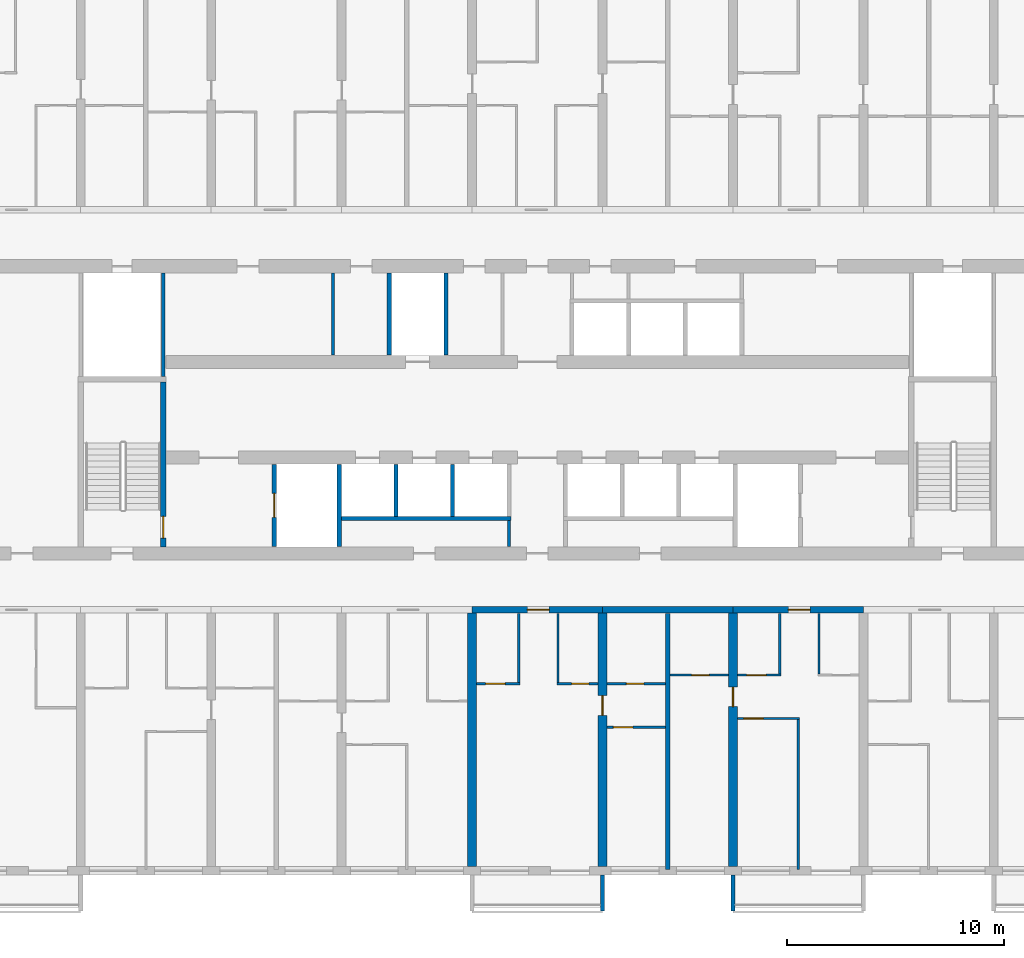
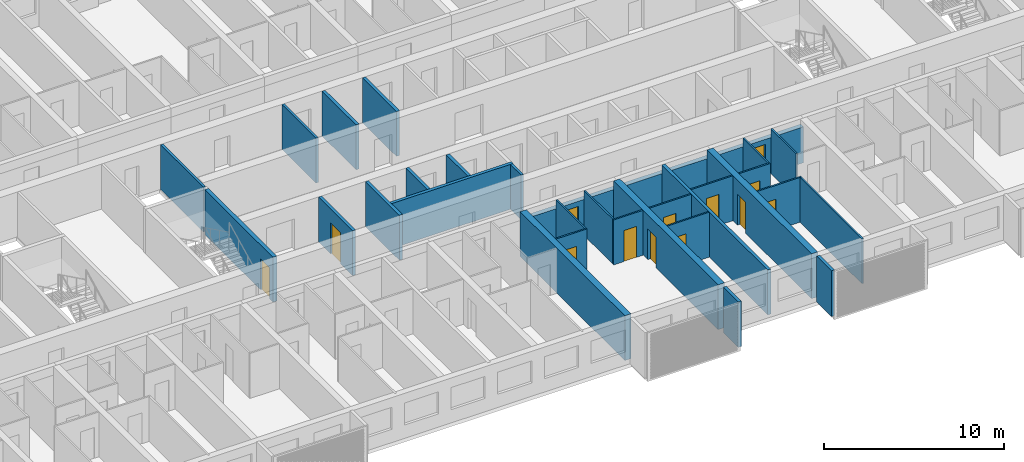
# One storey, part 6 of 40: 32 walls, 13 doors, 13 openings.
"""IFC4 building model written with IfcOpenShell, lengths in metres."""

import ifcopenshell
import ifcopenshell.guid

model = None  # the IFC model being written
_history = None  # IfcOwnerHistory: only IFC2X3 demands one
_inside = {}  # id of a spatial element -> (the spatial element, [elements in it])
_under = {}  # id of a project, library or spatial element -> (it, [spatial elements below it])
_declared = {}  # id of a project -> (the project, [libraries it declares])
_typed = {}  # id of a type object -> (the type object, [elements of that type])
_made_of = {}  # id of a material, layer set ... -> (it, [elements and type objects made of it])


def new_model(schema):
    """Start an empty IFC model of exactly this schema.

    Asked for "IFC4X3", IfcOpenShell would pick the latest addendum, in which some entities
    have other attributes; the version numbers below select the first issue.
    IFC2X3 requires an IfcOwnerHistory on every rooted entity: one is made here for all.
    """
    global model, _history
    if schema == "IFC4X3":
        model = ifcopenshell.file(schema_version=(4, 3, 0, 0))
    else:
        model = ifcopenshell.file(schema=schema)
    _inside.clear()
    _under.clear()
    _declared.clear()
    _typed.clear()
    _made_of.clear()
    _history = None
    if model.schema == "IFC2X3":
        org = make("IfcOrganization", Name="unknown")
        user = make(
            "IfcPersonAndOrganization",
            ThePerson=make("IfcPerson", FamilyName="unknown"),
            TheOrganization=org,
        )
        app = make(
            "IfcApplication",
            ApplicationDeveloper=org,
            Version="unknown",
            ApplicationFullName="unknown",
            ApplicationIdentifier="unknown",
        )
        _history = make(
            "IfcOwnerHistory",
            OwningUser=user,
            OwningApplication=app,
            ChangeAction="ADDED",
            CreationDate=0,
        )
    return model


def make(cls, **values):
    """One entity of the class cls with the attributes given. An attribute that is None is left unset."""
    return model.create_entity(
        cls, **{name: value for name, value in values.items() if value is not None}
    )


def rooted(cls, **values):
    """An entity with a GlobalId (a new one), such as an element, a storey or a relation."""
    return make(cls, GlobalId=ifcopenshell.guid.new(), OwnerHistory=_history, **values)


def si_unit(unit_type, name, prefix=None):
    """IfcSIUnit, for example si_unit("LENGTHUNIT", "METRE", prefix="MILLI")."""
    return make("IfcSIUnit", UnitType=unit_type, Prefix=prefix, Name=name)


def assignment(units):
    """IfcUnitAssignment: the units of a project."""
    return None if units is None else make("IfcUnitAssignment", Units=units)


def point(xyz):
    """IfcCartesianPoint."""
    return None if xyz is None else make("IfcCartesianPoint", Coordinates=xyz)


def direction(xyz):
    """IfcDirection."""
    return None if xyz is None else make("IfcDirection", DirectionRatios=xyz)


def frame(location, z_axis=None, x_axis=None):
    """IfcAxis2Placement3D, a coordinate frame: its origin and axes. An axis left out is left unset."""
    return make(
        "IfcAxis2Placement3D",
        Location=point(location),
        Axis=direction(z_axis),
        RefDirection=direction(x_axis),
    )


def frame_2d(location, x_axis=None):
    """IfcAxis2Placement2D, a coordinate frame in the plane: its origin and x axis."""
    return make(
        "IfcAxis2Placement2D", Location=point(location), RefDirection=direction(x_axis)
    )


def origin():
    """The frame at (0, 0, 0) with its axes left unset."""
    return frame((0.0, 0.0, 0.0))


def place(relative_to, where):
    """IfcLocalPlacement: puts the frame where relative to a parent placement (None: the world)."""
    return make(
        "IfcLocalPlacement", PlacementRelTo=relative_to, RelativePlacement=where
    )


def context(
    kind, dimensions, precision=None, world=None, true_north=None, identifier=None
):
    """IfcGeometricRepresentationContext, for example the 3D "Model" context."""
    return make(
        "IfcGeometricRepresentationContext",
        ContextIdentifier=identifier,
        ContextType=kind,
        CoordinateSpaceDimension=dimensions,
        Precision=precision,
        WorldCoordinateSystem=world,
        TrueNorth=true_north,
    )


def subcontext(parent, identifier, kind, view, scale=None):
    """IfcGeometricRepresentationSubContext, for example "Body" below "Model"."""
    return make(
        "IfcGeometricRepresentationSubContext",
        ContextIdentifier=identifier,
        ContextType=kind,
        ParentContext=parent,
        TargetScale=scale,
        TargetView=view,
    )


def project(units=None, contexts=None):
    """IfcProject with its units and contexts."""
    return rooted(
        "IfcProject",
        Name="project",
        RepresentationContexts=contexts,
        UnitsInContext=assignment(units),
    )


def spatial(cls, under=None, at=None, **own):
    """A site, building, storey or space (cls), placed at a placement, below another one or the project."""
    s = rooted(cls, ObjectPlacement=at, **own)
    if under is not None:
        _under.setdefault(under.id(), (under, []))[1].append(s)
    return s


def polyline(points):
    """IfcPolyline through the points."""
    return make("IfcPolyline", Points=[point(p) for p in points])


def profile(cls, at=None, kind="AREA", **sizes):
    """A parametric profile (cls). Its sizes go by their IFC names, for example OverallWidth=200.0."""
    return make(cls, ProfileType=kind, Position=at, **sizes)


def rectangle(**sizes):
    """IfcRectangleProfileDef."""
    return profile("IfcRectangleProfileDef", **sizes)


def outline(outer, holes=None, kind="AREA"):
    """IfcArbitraryClosedProfileDef: a profile drawn as a closed curve; with holes, ...WithVoids."""
    if holes is None:
        return make("IfcArbitraryClosedProfileDef", ProfileType=kind, OuterCurve=outer)
    return make(
        "IfcArbitraryProfileDefWithVoids",
        ProfileType=kind,
        OuterCurve=outer,
        InnerCurves=holes,
    )


def extrude(swept, where, along, depth):
    """IfcExtrudedAreaSolid: the profile swept, set in the frame where, extruded along a direction by depth."""
    return make(
        "IfcExtrudedAreaSolid",
        SweptArea=swept,
        Position=where,
        ExtrudedDirection=direction(along),
        Depth=depth,
    )


def shape(context_of_items, identifier, shape_type, items):
    """IfcShapeRepresentation: the items that make up one representation, for example the "Body"."""
    return make(
        "IfcShapeRepresentation",
        ContextOfItems=context_of_items,
        RepresentationIdentifier=identifier,
        RepresentationType=shape_type,
        Items=items,
    )


def source(mapping_origin, context_of_items, identifier, shape_type, items):
    """IfcRepresentationMap: a shape defined once, which mapped items show again and again."""
    return make(
        "IfcRepresentationMap",
        MappingOrigin=mapping_origin,
        MappedRepresentation=shape(context_of_items, identifier, shape_type, items),
    )


def transform(
    local_origin,
    x_axis=None,
    y_axis=None,
    z_axis=None,
    scale=None,
    scale2=None,
    scale3=None,
    uniform=True,
):
    """IfcCartesianTransformationOperator3D, or its non-uniform kind. x_axis, y_axis, z_axis: its Axis1, 2, 3."""
    if uniform:
        return make(
            "IfcCartesianTransformationOperator3D",
            Axis1=direction(x_axis),
            Axis2=direction(y_axis),
            LocalOrigin=point(local_origin),
            Scale=scale,
            Axis3=direction(z_axis),
        )
    return make(
        "IfcCartesianTransformationOperator3DnonUniform",
        Axis1=direction(x_axis),
        Axis2=direction(y_axis),
        LocalOrigin=point(local_origin),
        Scale=scale,
        Axis3=direction(z_axis),
        Scale2=scale2,
        Scale3=scale3,
    )


def mapped(mapping_source, mapping_target):
    """IfcMappedItem: shows the shape of a source again, moved by a transform."""
    return make(
        "IfcMappedItem", MappingSource=mapping_source, MappingTarget=mapping_target
    )


def material(Name=None, Category=None):
    """IfcMaterial."""
    return make("IfcMaterial", Name=Name, Category=Category)


def layer(
    of_material, thickness, ventilated=None, Name=None, Category=None, Priority=None
):
    """IfcMaterialLayer: one layer of a wall or slab, of a material (None: an air gap)."""
    return make(
        "IfcMaterialLayer",
        Material=of_material,
        LayerThickness=thickness,
        IsVentilated=ventilated,
        Name=Name,
        Category=Category,
        Priority=Priority,
    )


def layer_set(layers, Name=None):
    """IfcMaterialLayerSet."""
    return make("IfcMaterialLayerSet", MaterialLayers=layers, LayerSetName=Name)


def made_of(thing, what):
    """Note that an element or type object is made of a material, layer set ...; save() writes the relation."""
    if what is not None:
        _made_of.setdefault(what.id(), (what, []))[1].append(thing)
    return thing


def type_object(cls, material=None, **own):
    """A type object (cls), such as IfcWallType, which elements share."""
    return made_of(rooted(cls, **own), material)


def element(
    cls,
    number,
    at=None,
    inside=None,
    cuts=None,
    type_object=None,
    material=None,
    context=None,
    identifier="Body",
    shape_type=None,
    held_by="IfcProductDefinitionShape",
    body=None,
    shapes=None,
    **own,
):
    """One element of the class cls, such as IfcWall. Its Tag is "e" and its number.

    at: its placement. inside: the storey or other place that contains it. cuts: it is an
    opening in that element (IfcRelVoidsElement). A single representation is given by context,
    identifier, shape_type and body (its items); several are given by shapes. held_by: the class
    of the entity that holds the representations. save() writes the other relations.
    """
    e = rooted(cls, Tag="e%d" % number, ObjectPlacement=at, **own)
    if body is not None:
        shapes = [shape(context, identifier, shape_type, body)]
    if shapes is not None:
        e.Representation = make(held_by, Representations=shapes)
    if inside is not None:
        _inside.setdefault(inside.id(), (inside, []))[1].append(e)
    if cuts is not None:
        rooted(
            "IfcRelVoidsElement", RelatingBuildingElement=cuts, RelatedOpeningElement=e
        )
    if type_object is not None:
        _typed.setdefault(type_object.id(), (type_object, []))[1].append(e)
    return made_of(e, material)


def fill(opening, filler):
    """IfcRelFillsElement: the door or window that sits in an opening."""
    return rooted(
        "IfcRelFillsElement",
        RelatingOpeningElement=opening,
        RelatedBuildingElement=filler,
    )


def aggregate(whole, parts):
    """IfcRelAggregates: a whole, such as a stair, and the parts it consists of."""
    return rooted("IfcRelAggregates", RelatingObject=whole, RelatedObjects=parts)


def save(model, path):
    """Write the relations noted so far, then the file.

    IfcRelAggregates (storeys below a building ...), IfcRelContainedInSpatialStructure (elements
    in a storey), IfcRelDefinesByType, IfcRelAssociatesMaterial and IfcRelDeclares: one each for
    every whole, place, type object, material and project.
    """
    for whole, parts in _under.values():
        aggregate(whole, parts)
    for where, things in _inside.values():
        rooted(
            "IfcRelContainedInSpatialStructure",
            RelatedElements=things,
            RelatingStructure=where,
        )
    for kind, things in _typed.values():
        rooted("IfcRelDefinesByType", RelatedObjects=things, RelatingType=kind)
    for what, things in _made_of.values():
        rooted("IfcRelAssociatesMaterial", RelatedObjects=things, RelatingMaterial=what)
    for by, libraries in _declared.values():
        rooted("IfcRelDeclares", RelatingContext=by, RelatedDefinitions=libraries)
    model.write(path)


model = new_model("IFC4")

# Units and contexts
model_context = context("Model", 3, precision=1e-05, world=origin(), true_north=direction((0.0, 1.0)))
body_context = subcontext(model_context, "Body", "Model", "MODEL_VIEW")
ifc_project = project(units=[si_unit("LENGTHUNIT", "METRE"), si_unit("AREAUNIT", "SQUARE_METRE"), si_unit("VOLUMEUNIT", "CUBIC_METRE"), si_unit("PLANEANGLEUNIT", "RADIAN"), si_unit("MASSUNIT", "GRAM", prefix="KILO")], contexts=[model_context])

# Site, building, storey
site_placement = place(None, origin())
site = spatial("IfcSite", under=ifc_project, at=site_placement, CompositionType="ELEMENT")
building_placement = place(site_placement, origin())
building = spatial("IfcBuilding", under=site, at=building_placement, Name="Poui Terraces", CompositionType="ELEMENT")
storey_placement = place(building_placement, frame((0.0, 0.0, 39.89990234375)))
storey = spatial("IfcBuildingStorey", under=building, at=storey_placement, Name="L10", CompositionType="ELEMENT", Elevation=39.89990234375)

# Wall
ifc_material_1 = material(Name="Fire-rated plasterboard wall")
ifc_layer_1 = layer(ifc_material_1, 0.14990234375)
ifc_layer_set_1 = layer_set([ifc_layer_1], Name="Fire-rated plasterboard wall")
wall_type_1 = type_object("IfcWallType", Name="CORRIDOR WALL 150", PredefinedType="PARTITIONING", material=ifc_layer_set_1)
wall_1_placement = place(storey_placement, frame((49.699951171875, 14.909912109375, 0.0), z_axis=(0.0, 0.0, 1.0), x_axis=(0.0, 1.0, 0.0)))
element("IfcWall", 1, at=wall_1_placement, inside=storey, type_object=wall_type_1, Name="CORRIDOR WALL 150", PredefinedType="PARTITIONING", context=body_context, shape_type="SweptSolid", body=[
    extrude(rectangle(XDim=1.190185546875, YDim=0.14990234375, at=frame_2d((0.59521484375, 0.0))), origin(), (0.0, 0.0, 1.0), 3.050048828125),
])

# Wall, opening, door
ifc_material_2 = material(Name="Concrete 80 MPa", Category="concrete")
ifc_layer_2 = layer(ifc_material_2, 0.300048828125)
ifc_layer_set_2 = layer_set([ifc_layer_2], Name="Concrete 80 MPa")
wall_type_2 = type_object("IfcWallType", Name="CORRIDOR WALL 300 80MPa", PredefinedType="SHEAR", material=ifc_layer_set_2)
wall_2_placement = place(storey_placement, frame((48.0, 12.0, 0.0), z_axis=(0.0, 0.0, 1.0), x_axis=(1.0, 0.0, 0.0)))
wall_2 = element("IfcWall", 2, at=wall_2_placement, inside=storey, type_object=wall_type_2, Name="CORRIDOR WALL LINE B BAY 9", PredefinedType="SHEAR", context=body_context, shape_type="SweptSolid", body=[
    extrude(rectangle(XDim=6.0, YDim=0.300048828125, at=frame_2d((3.0, 0.0))), origin(), (0.0, 0.0, 1.0), 2.4501953125),
])
opening_1_placement = place(wall_2_placement, frame((2.550048828125, 0.0, 0.0)))
opening_1 = element("IfcOpeningElement", 3, at=opening_1_placement, cuts=wall_2, Name="Opening FD30S", PredefinedType="OPENING", context=body_context, shape_type="SweptSolid", body=[
    extrude(rectangle(XDim=1.0, YDim=2.10009765625, at=frame_2d((0.5, 1.050048828125))), frame((0.0, 0.16015625, 0.0), z_axis=(0.0, -1.0, 0.0), x_axis=(1.0, 0.0, 0.0)), (0.0, 0.0, 1.0), 0.320068359375),
])
ifc_material_3 = material(Name="Steel fire door", Category="steel")
door_type_1 = type_object("IfcDoorType", Name="FLAT ENTRANCE DOOR 1000 X 2100", OperationType="NOTDEFINED", PredefinedType="DOOR", material=ifc_material_3)
door_1_placement = place(opening_1_placement, frame((1.0, 0.0, 0.0), z_axis=(0.0, 0.0, 1.0), x_axis=(-1.0, 0.0, 0.0)))
door_1 = element("IfcDoor", 4, at=door_1_placement, inside=storey, type_object=door_type_1, Name="FLAT ENTRANCE DOOR 121", OperationType="SINGLE_SWING_LEFT", OverallHeight=2.10009765625, OverallWidth=1.0, PredefinedType="DOOR", context=body_context, shape_type="SweptSolid", body=[
    extrude(rectangle(XDim=1.0, YDim=2.10009765625, at=frame_2d((0.5, 1.050048828125))), frame((0.0, 0.02490234375, 0.0), z_axis=(0.0, -1.0, 0.0), x_axis=(1.0, 0.0, 0.0)), (0.0, 0.0, 1.0), 0.050048828125),
])
fill(opening_1, door_1)

# Wall
wall_3_placement = place(storey_placement, frame((54.0, 12.0, 0.0), z_axis=(0.0, 0.0, 1.0), x_axis=(1.0, 0.0, 0.0)))
element("IfcWall", 5, at=wall_3_placement, inside=storey, type_object=wall_type_2, Name="CORRIDOR WALL LINE B BAY 10", PredefinedType="SHEAR", context=body_context, shape_type="SweptSolid", body=[
    extrude(rectangle(XDim=6.0, YDim=0.300048828125, at=frame_2d((3.0, 0.0))), origin(), (0.0, 0.0, 1.0), 2.4501953125),
])

# Wall, opening, door
wall_4_placement = place(storey_placement, frame((60.0, 12.0, 0.0), z_axis=(0.0, 0.0, 1.0), x_axis=(1.0, 0.0, 0.0)))
wall_4 = element("IfcWall", 6, at=wall_4_placement, inside=storey, type_object=wall_type_2, Name="CORRIDOR WALL LINE B BAY 11", PredefinedType="SHEAR", context=body_context, shape_type="SweptSolid", body=[
    extrude(rectangle(XDim=6.0, YDim=0.300048828125, at=frame_2d((3.0, 0.0))), origin(), (0.0, 0.0, 1.0), 2.4501953125),
])
opening_2_placement = place(wall_4_placement, frame((2.550048828125, 0.0, 0.0)))
opening_2 = element("IfcOpeningElement", 7, at=opening_2_placement, cuts=wall_4, Name="Opening FD30S", PredefinedType="OPENING", context=body_context, shape_type="SweptSolid", body=[
    extrude(rectangle(XDim=1.0, YDim=2.10009765625, at=frame_2d((0.5, 1.050048828125))), frame((0.0, 0.16015625, 0.0), z_axis=(0.0, -1.0, 0.0), x_axis=(1.0, 0.0, 0.0)), (0.0, 0.0, 1.0), 0.320068359375),
])
door_2_placement = place(opening_2_placement, frame((1.0, 0.0, 0.0), z_axis=(0.0, 0.0, 1.0), x_axis=(-1.0, 0.0, 0.0)))
door_2 = element("IfcDoor", 8, at=door_2_placement, inside=storey, type_object=door_type_1, Name="FLAT ENTRANCE DOOR 128", OperationType="SINGLE_SWING_LEFT", OverallHeight=2.10009765625, OverallWidth=1.0, PredefinedType="DOOR", context=body_context, shape_type="SweptSolid", body=[
    extrude(rectangle(XDim=1.0, YDim=2.10009765625, at=frame_2d((0.5, 1.050048828125))), frame((0.0, 0.02490234375, 0.0), z_axis=(0.0, -1.0, 0.0), x_axis=(1.0, 0.0, 0.0)), (0.0, 0.0, 1.0), 0.050048828125),
])
fill(opening_2, door_2)

# Wall
ifc_layer_3 = layer(ifc_material_2, 0.39990234375)
ifc_layer_set_3 = layer_set([ifc_layer_3], Name="Concrete 80 MPa")
wall_type_3 = type_object("IfcWallType", Name="CROSS WALL 400 80MPa", PredefinedType="SHEAR", material=ifc_layer_set_3)
wall_5_placement = place(storey_placement, frame((48.0, 0.199951171875, 0.0), z_axis=(0.0, 0.0, 1.0), x_axis=(0.0, 1.0, 0.0)))
element("IfcWall", 9, at=wall_5_placement, inside=storey, type_object=wall_type_3, Name="CROSS WALL LINE 9 SOUTH", PredefinedType="SHEAR", context=body_context, shape_type="SweptSolid", body=[
    extrude(rectangle(XDim=11.650146484375, YDim=0.39990234375, at=frame_2d((5.8251953125, 0.0))), origin(), (0.0, 0.0, 1.0), 3.050048828125),
])

# Wall, opening, door
wall_6_placement = place(storey_placement, frame((54.0, 0.199951171875, 0.0), z_axis=(0.0, 0.0, 1.0), x_axis=(0.0, 1.0, 0.0)))
wall_6 = element("IfcWall", 10, at=wall_6_placement, inside=storey, type_object=wall_type_3, Name="CROSS WALL LINE 10 SOUTH", PredefinedType="SHEAR", context=body_context, shape_type="SweptSolid", body=[
    extrude(rectangle(XDim=11.650146484375, YDim=0.39990234375, at=frame_2d((5.8251953125, 0.0))), origin(), (0.0, 0.0, 1.0), 3.050048828125),
])
opening_3_placement = place(wall_6_placement, frame((6.949951171875, 0.0, 0.0)))
opening_3 = element("IfcOpeningElement", 11, at=opening_3_placement, cuts=wall_6, Name="Opening D90", PredefinedType="OPENING", context=body_context, shape_type="SweptSolid", body=[
    extrude(rectangle(XDim=0.89990234375, YDim=2.10009765625, at=frame_2d((0.449951171875, 1.050048828125))), frame((0.0, 0.2099609375, 0.0), z_axis=(0.0, -1.0, 0.0), x_axis=(1.0, 0.0, 0.0)), (0.0, 0.0, 1.0), 0.419921875),
])
ifc_material_4 = material(Name="Solid core timber door", Category="wood")
door_type_2 = type_object("IfcDoorType", Name="INTERNAL DOOR 900 X 2100", OperationType="NOTDEFINED", PredefinedType="DOOR", material=ifc_material_4)
door_3_placement = place(opening_3_placement, origin())
door_3 = element("IfcDoor", 12, at=door_3_placement, inside=storey, type_object=door_type_2, Name="INTERNAL DOOR 123", OperationType="SINGLE_SWING_RIGHT", OverallHeight=2.10009765625, OverallWidth=0.89990234375, PredefinedType="DOOR", context=body_context, shape_type="SweptSolid", body=[
    extrude(rectangle(XDim=0.89990234375, YDim=2.10009765625, at=frame_2d((0.449951171875, 1.050048828125))), frame((0.0, 0.02490234375, 0.0), z_axis=(0.0, -1.0, 0.0), x_axis=(1.0, 0.0, 0.0)), (0.0, 0.0, 1.0), 0.050048828125),
])
fill(opening_3, door_3)

wall_7_placement = place(storey_placement, frame((60.0, 0.199951171875, 0.0), z_axis=(0.0, 0.0, 1.0), x_axis=(0.0, 1.0, 0.0)))
wall_7 = element("IfcWall", 13, at=wall_7_placement, inside=storey, type_object=wall_type_3, Name="CROSS WALL LINE 11 SOUTH", PredefinedType="SHEAR", context=body_context, shape_type="SweptSolid", body=[
    extrude(rectangle(XDim=11.650146484375, YDim=0.39990234375, at=frame_2d((5.8251953125, 0.0))), origin(), (0.0, 0.0, 1.0), 3.050048828125),
])
opening_4_placement = place(wall_7_placement, frame((7.35009765625, 0.0, 0.0)))
opening_4 = element("IfcOpeningElement", 14, at=opening_4_placement, cuts=wall_7, Name="Opening D90", PredefinedType="OPENING", context=body_context, shape_type="SweptSolid", body=[
    extrude(rectangle(XDim=0.89990234375, YDim=2.10009765625, at=frame_2d((0.449951171875, 1.050048828125))), frame((0.0, 0.2099609375, 0.0), z_axis=(0.0, -1.0, 0.0), x_axis=(1.0, 0.0, 0.0)), (0.0, 0.0, 1.0), 0.419921875),
])
door_4_placement = place(opening_4_placement, origin())
door_4 = element("IfcDoor", 15, at=door_4_placement, inside=storey, type_object=door_type_2, Name="INTERNAL DOOR 125", OperationType="SINGLE_SWING_RIGHT", OverallHeight=2.10009765625, OverallWidth=0.89990234375, PredefinedType="DOOR", context=body_context, shape_type="SweptSolid", body=[
    extrude(rectangle(XDim=0.89990234375, YDim=2.10009765625, at=frame_2d((0.449951171875, 1.050048828125))), frame((0.0, 0.02490234375, 0.0), z_axis=(0.0, -1.0, 0.0), x_axis=(1.0, 0.0, 0.0)), (0.0, 0.0, 1.0), 0.050048828125),
])
fill(opening_4, door_4)

ifc_material_5 = material(Name="Plasterboard partition")
ifc_layer_4 = layer(ifc_material_5, 0.10009765625)
ifc_layer_set_4 = layer_set([ifc_layer_4], Name="Plasterboard partition")
wall_type_4 = type_object("IfcWallType", Name="FLAT PARTITION 100", PredefinedType="PARTITIONING", material=ifc_layer_set_4)
wall_8_placement = place(storey_placement, frame((54.2099609375, 6.60009765625, 0.0), z_axis=(0.0, 0.0, 1.0), x_axis=(1.0, 0.0, 0.0)))
wall_8 = element("IfcWall", 16, at=wall_8_placement, inside=storey, type_object=wall_type_4, Name="FLAT PARTITION 100", PredefinedType="PARTITIONING", context=body_context, shape_type="SweptSolid", body=[
    extrude(rectangle(XDim=2.68994140625, YDim=0.10009765625, at=frame_2d((1.344970703125, 0.0))), origin(), (0.0, 0.0, 1.0), 3.050048828125),
])
opening_5_placement = place(wall_8_placement, frame((0.2900390625, 0.0, 0.0)))
opening_5 = element("IfcOpeningElement", 17, at=opening_5_placement, cuts=wall_8, Name="Opening D90", PredefinedType="OPENING", context=body_context, shape_type="SweptSolid", body=[
    extrude(rectangle(XDim=0.89990234375, YDim=2.10009765625, at=frame_2d((0.449951171875, 1.050048828125))), frame((0.0, 0.06005859375, 0.0), z_axis=(0.0, -1.0, 0.0), x_axis=(1.0, 0.0, 0.0)), (0.0, 0.0, 1.0), 0.1201171875),
])
door_5_placement = place(opening_5_placement, frame((0.89990234375, 0.0, 0.0), z_axis=(0.0, 0.0, 1.0), x_axis=(-1.0, 0.0, 0.0)))
door_5 = element("IfcDoor", 18, at=door_5_placement, inside=storey, type_object=door_type_2, Name="INTERNAL DOOR 118", OperationType="SINGLE_SWING_RIGHT", OverallHeight=2.10009765625, OverallWidth=0.89990234375, PredefinedType="DOOR", context=body_context, shape_type="SweptSolid", body=[
    extrude(rectangle(XDim=0.89990234375, YDim=2.10009765625, at=frame_2d((0.449951171875, 1.050048828125))), frame((0.0, 0.02490234375, 0.0), z_axis=(0.0, -1.0, 0.0), x_axis=(1.0, 0.0, 0.0)), (0.0, 0.0, 1.0), 0.050048828125),
])
fill(opening_5, door_5)

wall_9_placement = place(storey_placement, frame((60.2099609375, 7.0, 0.0), z_axis=(0.0, 0.0, 1.0), x_axis=(1.0, 0.0, 0.0)))
wall_9 = element("IfcWall", 19, at=wall_9_placement, inside=storey, type_object=wall_type_4, Name="FLAT PARTITION 100", PredefinedType="PARTITIONING", context=body_context, shape_type="SweptSolid", body=[
    extrude(rectangle(XDim=2.840087890625, YDim=0.10009765625, at=frame_2d((1.419921875, 0.0))), origin(), (0.0, 0.0, 1.0), 3.050048828125),
])
opening_6_placement = place(wall_9_placement, frame((0.2900390625, 0.0, 0.0)))
opening_6 = element("IfcOpeningElement", 20, at=opening_6_placement, cuts=wall_9, Name="Opening D90", PredefinedType="OPENING", context=body_context, shape_type="SweptSolid", body=[
    extrude(rectangle(XDim=0.89990234375, YDim=2.10009765625, at=frame_2d((0.449951171875, 1.050048828125))), frame((0.0, 0.06005859375, 0.0), z_axis=(0.0, -1.0, 0.0), x_axis=(1.0, 0.0, 0.0)), (0.0, 0.0, 1.0), 0.1201171875),
])
door_6_placement = place(opening_6_placement, origin())
door_6 = element("IfcDoor", 21, at=door_6_placement, inside=storey, type_object=door_type_2, Name="INTERNAL DOOR 126", OperationType="SINGLE_SWING_RIGHT", OverallHeight=2.10009765625, OverallWidth=0.89990234375, PredefinedType="DOOR", context=body_context, shape_type="SweptSolid", body=[
    extrude(rectangle(XDim=0.89990234375, YDim=2.10009765625, at=frame_2d((0.449951171875, 1.050048828125))), frame((0.0, 0.02490234375, 0.0), z_axis=(0.0, -1.0, 0.0), x_axis=(1.0, 0.0, 0.0)), (0.0, 0.0, 1.0), 0.050048828125),
])
fill(opening_6, door_6)

wall_10_placement = place(storey_placement, frame((48.2099609375, 8.60009765625, 0.0), z_axis=(0.0, 0.0, 1.0), x_axis=(1.0, 0.0, 0.0)))
wall_10 = element("IfcWall", 22, at=wall_10_placement, inside=storey, type_object=wall_type_4, Name="FLAT PARTITION 100", PredefinedType="PARTITIONING", context=body_context, shape_type="SweptSolid", body=[
    extrude(rectangle(XDim=1.989990234375, YDim=0.10009765625, at=frame_2d((0.9951171875, 0.0))), origin(), (0.0, 0.0, 1.0), 3.050048828125),
])
opening_7_placement = place(wall_10_placement, frame((0.4150390625, 0.0, 0.0)))
opening_7 = element("IfcOpeningElement", 23, at=opening_7_placement, cuts=wall_10, Name="Opening D90", PredefinedType="OPENING", context=body_context, shape_type="SweptSolid", body=[
    extrude(rectangle(XDim=0.89990234375, YDim=2.10009765625, at=frame_2d((0.449951171875, 1.050048828125))), frame((0.0, 0.06005859375, 0.0), z_axis=(0.0, -1.0, 0.0), x_axis=(1.0, 0.0, 0.0)), (0.0, 0.0, 1.0), 0.1201171875),
])
door_7_placement = place(opening_7_placement, origin())
door_7 = element("IfcDoor", 24, at=door_7_placement, inside=storey, type_object=door_type_2, Name="INTERNAL DOOR 120", OperationType="SINGLE_SWING_LEFT", OverallHeight=2.10009765625, OverallWidth=0.89990234375, PredefinedType="DOOR", context=body_context, shape_type="SweptSolid", body=[
    extrude(rectangle(XDim=0.89990234375, YDim=2.10009765625, at=frame_2d((0.449951171875, 1.050048828125))), frame((0.0, 0.02490234375, 0.0), z_axis=(0.0, -1.0, 0.0), x_axis=(1.0, 0.0, 0.0)), (0.0, 0.0, 1.0), 0.050048828125),
])
fill(opening_7, door_7)

wall_11_placement = place(storey_placement, frame((51.89990234375, 8.60009765625, 0.0), z_axis=(0.0, 0.0, 1.0), x_axis=(1.0, 0.0, 0.0)))
wall_11 = element("IfcWall", 25, at=wall_11_placement, inside=storey, type_object=wall_type_4, Name="FLAT PARTITION 100", PredefinedType="PARTITIONING", context=body_context, shape_type="SweptSolid", body=[
    extrude(rectangle(XDim=1.89013671875, YDim=0.10009765625, at=frame_2d((0.945068359375, 0.0))), origin(), (0.0, 0.0, 1.0), 3.050048828125),
])
opening_8_placement = place(wall_11_placement, frame((0.675048828125, 0.0, 0.0)))
opening_8 = element("IfcOpeningElement", 26, at=opening_8_placement, cuts=wall_11, Name="Opening D80", PredefinedType="OPENING", context=body_context, shape_type="SweptSolid", body=[
    extrude(rectangle(XDim=0.800048828125, YDim=2.10009765625, at=frame_2d((0.39990234375, 1.050048828125))), frame((0.0, 0.06005859375, 0.0), z_axis=(0.0, -1.0, 0.0), x_axis=(1.0, 0.0, 0.0)), (0.0, 0.0, 1.0), 0.1201171875),
])
door_type_3 = type_object("IfcDoorType", Name="BATHROOM, LAUNDRY AND STORE DOOR 800 X 2100", OperationType="NOTDEFINED", PredefinedType="DOOR", material=ifc_material_4)
door_8_placement = place(opening_8_placement, origin())
door_8 = element("IfcDoor", 27, at=door_8_placement, inside=storey, type_object=door_type_3, Name="BATHROOM, LAUNDRY AND STORE DOOR 122", OperationType="SINGLE_SWING_RIGHT", OverallHeight=2.10009765625, OverallWidth=0.800048828125, PredefinedType="DOOR", context=body_context, shape_type="SweptSolid", body=[
    extrude(rectangle(XDim=0.800048828125, YDim=2.10009765625, at=frame_2d((0.39990234375, 1.050048828125))), frame((0.0, 0.02490234375, 0.0), z_axis=(0.0, -1.0, 0.0), x_axis=(1.0, 0.0, 0.0)), (0.0, 0.0, 1.0), 0.050048828125),
])
fill(opening_8, door_8)

wall_12_placement = place(storey_placement, frame((54.2099609375, 8.60009765625, 0.0), z_axis=(0.0, 0.0, 1.0), x_axis=(1.0, 0.0, 0.0)))
wall_12 = element("IfcWall", 28, at=wall_12_placement, inside=storey, type_object=wall_type_4, Name="FLAT PARTITION 100", PredefinedType="PARTITIONING", context=body_context, shape_type="SweptSolid", body=[
    extrude(rectangle(XDim=2.68994140625, YDim=0.10009765625, at=frame_2d((1.344970703125, 0.0))), origin(), (0.0, 0.0, 1.0), 3.050048828125),
])
opening_9_placement = place(wall_12_placement, frame((0.889892578125, 0.0, 0.0)))
opening_9 = element("IfcOpeningElement", 29, at=opening_9_placement, cuts=wall_12, Name="Opening D80", PredefinedType="OPENING", context=body_context, shape_type="SweptSolid", body=[
    extrude(rectangle(XDim=0.800048828125, YDim=2.10009765625, at=frame_2d((0.39990234375, 1.050048828125))), frame((0.0, 0.06005859375, 0.0), z_axis=(0.0, -1.0, 0.0), x_axis=(1.0, 0.0, 0.0)), (0.0, 0.0, 1.0), 0.1201171875),
])
door_9_placement = place(opening_9_placement, origin())
door_9 = element("IfcDoor", 30, at=door_9_placement, inside=storey, type_object=door_type_3, Name="BATHROOM, LAUNDRY AND STORE DOOR 119", OperationType="SINGLE_SWING_RIGHT", OverallHeight=2.10009765625, OverallWidth=0.800048828125, PredefinedType="DOOR", context=body_context, shape_type="SweptSolid", body=[
    extrude(rectangle(XDim=0.800048828125, YDim=2.10009765625, at=frame_2d((0.39990234375, 1.050048828125))), frame((0.0, 0.02490234375, 0.0), z_axis=(0.0, -1.0, 0.0), x_axis=(1.0, 0.0, 0.0)), (0.0, 0.0, 1.0), 0.050048828125),
])
fill(opening_9, door_9)

wall_13_placement = place(storey_placement, frame((57.10009765625, 9.0, 0.0), z_axis=(0.0, 0.0, 1.0), x_axis=(1.0, 0.0, 0.0)))
wall_13 = element("IfcWall", 31, at=wall_13_placement, inside=storey, type_object=wall_type_4, Name="FLAT PARTITION 100", PredefinedType="PARTITIONING", context=body_context, shape_type="SweptSolid", body=[
    extrude(rectangle(XDim=2.68994140625, YDim=0.10009765625, at=frame_2d((1.344970703125, 0.0))), origin(), (0.0, 0.0, 1.0), 3.050048828125),
])
opening_10_placement = place(wall_13_placement, frame((1.0, 0.0, 0.0)))
opening_10 = element("IfcOpeningElement", 32, at=opening_10_placement, cuts=wall_13, Name="Opening D80", PredefinedType="OPENING", context=body_context, shape_type="SweptSolid", body=[
    extrude(rectangle(XDim=0.800048828125, YDim=2.10009765625, at=frame_2d((0.39990234375, 1.050048828125))), frame((0.0, 0.06005859375, 0.0), z_axis=(0.0, -1.0, 0.0), x_axis=(1.0, 0.0, 0.0)), (0.0, 0.0, 1.0), 0.1201171875),
])
door_10_placement = place(opening_10_placement, origin())
door_10 = element("IfcDoor", 33, at=door_10_placement, inside=storey, type_object=door_type_3, Name="BATHROOM, LAUNDRY AND STORE DOOR 124", OperationType="SINGLE_SWING_LEFT", OverallHeight=2.10009765625, OverallWidth=0.800048828125, PredefinedType="DOOR", context=body_context, shape_type="SweptSolid", body=[
    extrude(rectangle(XDim=0.800048828125, YDim=2.10009765625, at=frame_2d((0.39990234375, 1.050048828125))), frame((0.0, 0.02490234375, 0.0), z_axis=(0.0, -1.0, 0.0), x_axis=(1.0, 0.0, 0.0)), (0.0, 0.0, 1.0), 0.050048828125),
])
fill(opening_10, door_10)

wall_14_placement = place(storey_placement, frame((60.2099609375, 9.0, 0.0), z_axis=(0.0, 0.0, 1.0), x_axis=(1.0, 0.0, 0.0)))
wall_14 = element("IfcWall", 34, at=wall_14_placement, inside=storey, type_object=wall_type_4, Name="FLAT PARTITION 100", PredefinedType="PARTITIONING", context=body_context, shape_type="SweptSolid", body=[
    extrude(rectangle(XDim=1.989990234375, YDim=0.10009765625, at=frame_2d((0.9951171875, 0.0))), origin(), (0.0, 0.0, 1.0), 3.050048828125),
])
opening_11_placement = place(wall_14_placement, frame((0.4150390625, 0.0, 0.0)))
opening_11 = element("IfcOpeningElement", 35, at=opening_11_placement, cuts=wall_14, Name="Opening D90", PredefinedType="OPENING", context=body_context, shape_type="SweptSolid", body=[
    extrude(rectangle(XDim=0.89990234375, YDim=2.10009765625, at=frame_2d((0.449951171875, 1.050048828125))), frame((0.0, 0.06005859375, 0.0), z_axis=(0.0, -1.0, 0.0), x_axis=(1.0, 0.0, 0.0)), (0.0, 0.0, 1.0), 0.1201171875),
])
door_11_placement = place(opening_11_placement, origin())
door_11 = element("IfcDoor", 36, at=door_11_placement, inside=storey, type_object=door_type_2, Name="INTERNAL DOOR 127", OperationType="SINGLE_SWING_LEFT", OverallHeight=2.10009765625, OverallWidth=0.89990234375, PredefinedType="DOOR", context=body_context, shape_type="SweptSolid", body=[
    extrude(rectangle(XDim=0.89990234375, YDim=2.10009765625, at=frame_2d((0.449951171875, 1.050048828125))), frame((0.0, 0.02490234375, 0.0), z_axis=(0.0, -1.0, 0.0), x_axis=(1.0, 0.0, 0.0)), (0.0, 0.0, 1.0), 0.050048828125),
])
fill(opening_11, door_11)

# Walls
for number, where, z_axis, x_axis, name in (
    (37, (50.14990234375, 8.64990234375, 0.0), (0.0, 0.0, 1.0), (0.0, 1.0, 0.0), "FLAT PARTITION 100"),
    (38, (51.949951171875, 8.64990234375, 0.0), (0.0, 0.0, 1.0), (0.0, 1.0, 0.0), "FLAT PARTITION 100"),
):
    element("IfcWall", number, at=place(storey_placement, frame(where, z_axis=z_axis, x_axis=x_axis)), inside=storey, type_object=wall_type_4, Name=name, PredefinedType="PARTITIONING", context=body_context, shape_type="SweptSolid", body=[
        extrude(rectangle(XDim=3.190185546875, YDim=0.10009765625, at=frame_2d((1.59521484375, 0.0))), origin(), (0.0, 0.0, 1.0), 3.050048828125),
    ])
wall_15_placement = place(storey_placement, frame((62.14990234375, 9.050048828125, 0.0), z_axis=(0.0, 0.0, 1.0), x_axis=(0.0, 1.0, 0.0)))
element("IfcWall", 39, at=wall_15_placement, inside=storey, type_object=wall_type_4, Name="FLAT PARTITION 100", PredefinedType="PARTITIONING", context=body_context, shape_type="SweptSolid", body=[
    extrude(rectangle(XDim=2.7900390625, YDim=0.10009765625, at=frame_2d((1.39501953125, 0.0))), origin(), (0.0, 0.0, 1.0), 3.050048828125),
])
wall_16_placement = place(storey_placement, frame((63.0, 0.06005859375, 0.0), z_axis=(0.0, 0.0, 1.0), x_axis=(0.0, 1.0, 0.0)))
element("IfcWall", 40, at=wall_16_placement, inside=storey, type_object=wall_type_4, Name="FLAT PARTITION 100", PredefinedType="PARTITIONING", context=body_context, shape_type="SweptSolid", body=[
    extrude(rectangle(XDim=6.889892578125, YDim=0.10009765625, at=frame_2d((3.44482421875, 0.0))), origin(), (0.0, 0.0, 1.0), 3.050048828125),
])
wall_17_placement = place(storey_placement, frame((63.949951171875, 9.050048828125, 0.0), z_axis=(0.0, 0.0, 1.0), x_axis=(0.0, 1.0, 0.0)))
element("IfcWall", 41, at=wall_17_placement, inside=storey, type_object=wall_type_4, Name="FLAT PARTITION 100", PredefinedType="PARTITIONING", context=body_context, shape_type="SweptSolid", body=[
    extrude(rectangle(XDim=2.7900390625, YDim=0.10009765625, at=frame_2d((1.39501953125, 0.0))), origin(), (0.0, 0.0, 1.0), 3.050048828125),
])
ifc_material_6 = material(Name="Fire-rated masonry wall", Category="masonry")
ifc_layer_5 = layer(ifc_material_6, 0.199951171875)
ifc_layer_set_5 = layer_set([ifc_layer_5], Name="Fire-rated masonry wall")
wall_type_5 = type_object("IfcWallType", Name="FLAT PARTY WALL 200", PredefinedType="PARTITIONING", material=ifc_layer_set_5)
wall_18_placement = place(storey_placement, frame((57.0, 0.06005859375, 0.0), z_axis=(0.0, 0.0, 1.0), x_axis=(0.0, 1.0, 0.0)))
element("IfcWall", 42, at=wall_18_placement, inside=storey, type_object=wall_type_5, Name="FLAT PARTY WALL 200", PredefinedType="PARTITIONING", context=body_context, shape_type="SweptSolid", body=[
    extrude(rectangle(XDim=11.780029296875, YDim=0.199951171875, at=frame_2d((5.89013671875, 0.0))), origin(), (0.0, 0.0, 1.0), 3.050048828125),
])
ifc_layer_6 = layer(ifc_material_5, 0.14990234375)
ifc_layer_set_6 = layer_set([ifc_layer_6], Name="Plasterboard partition")
wall_type_6 = type_object("IfcWallType", Name="PARTITION WALL 150", PredefinedType="PARTITIONING", material=ifc_layer_set_6)
wall_19_placement = place(storey_placement, frame((41.60009765625, 23.7099609375, 0.0), z_axis=(0.0, 0.0, 1.0), x_axis=(0.0, 1.0, 0.0)))
element("IfcWall", 43, at=wall_19_placement, inside=storey, type_object=wall_type_6, Name="PARTITION WALL 150", PredefinedType="PARTITIONING", context=body_context, shape_type="SweptSolid", body=[
    extrude(rectangle(XDim=3.780029296875, YDim=0.14990234375, at=frame_2d((1.89013671875, 0.0))), origin(), (0.0, 0.0, 1.0), 3.050048828125),
])
ifc_material_7 = material(Name="Fire-rated plasterboard riser wall")
ifc_layer_7 = layer(ifc_material_7, 0.14990234375)
ifc_layer_set_7 = layer_set([ifc_layer_7], Name="Fire-rated plasterboard riser wall")
wall_type_7 = type_object("IfcWallType", Name="RISER WALL 150", PredefinedType="PARTITIONING", material=ifc_layer_set_7)
wall_20_placement = place(storey_placement, frame((33.800048828125, 22.735107421875, 0.0), z_axis=(0.0, 0.0, 1.0), x_axis=(0.0, 1.0, 0.0)))
element("IfcWall", 44, at=wall_20_placement, inside=storey, type_object=wall_type_7, Name="RISER WALL 150", PredefinedType="PARTITIONING", context=body_context, shape_type="SweptSolid", body=[
    extrude(rectangle(XDim=4.7548828125, YDim=0.14990234375, at=frame_2d((2.37744140625, 0.0))), origin(), (0.0, 0.0, 1.0), 3.050048828125),
])
ifc_material_8 = material(Name="Fire-rated masonry shaft wall", Category="masonry")
ifc_layer_8 = layer(ifc_material_8, 0.199951171875)
ifc_layer_set_8 = layer_set([ifc_layer_8], Name="Fire-rated masonry shaft wall")
wall_type_8 = type_object("IfcWallType", Name="SHAFT WALL 200", PredefinedType="PARTITIONING", material=ifc_layer_set_8)
wall_21_placement = place(storey_placement, frame((42.0, 16.199951171875, 0.0), z_axis=(0.0, 0.0, 1.0), x_axis=(1.0, 0.0, 0.0)))
element("IfcWall", 45, at=wall_21_placement, inside=storey, type_object=wall_type_8, Name="SHAFT WALL 200", PredefinedType="PARTITIONING", context=body_context, shape_type="SweptSolid", body=[
    extrude(rectangle(XDim=7.800048828125, YDim=0.199951171875, at=frame_2d((3.89990234375, 0.0))), origin(), (0.0, 0.0, 1.0), 3.050048828125),
])

# Wall, opening, door
wall_22_placement = place(storey_placement, frame((38.89990234375, 14.909912109375, 0.0), z_axis=(0.0, 0.0, 1.0), x_axis=(0.0, 1.0, 0.0)))
wall_22 = element("IfcWall", 46, at=wall_22_placement, inside=storey, type_object=wall_type_8, Name="SHAFT WALL 200", PredefinedType="PARTITIONING", context=body_context, shape_type="SweptSolid", body=[
    extrude(rectangle(XDim=3.780029296875, YDim=0.199951171875, at=frame_2d((1.89013671875, 0.0))), origin(), (0.0, 0.0, 1.0), 3.050048828125),
])
opening_12_placement = place(wall_22_placement, frame((1.340087890625, 0.0, 0.0)))
opening_12 = element("IfcOpeningElement", 47, at=opening_12_placement, cuts=wall_22, Name="Opening LD", PredefinedType="OPENING", context=body_context, shape_type="SweptSolid", body=[
    extrude(rectangle(XDim=1.10009765625, YDim=2.10009765625, at=frame_2d((0.550048828125, 1.050048828125))), frame((0.0, 0.10986328125, 0.0), z_axis=(0.0, -1.0, 0.0), x_axis=(1.0, 0.0, 0.0)), (0.0, 0.0, 1.0), 0.219970703125),
])
ifc_material_9 = material(Name="Stainless steel sliding door", Category="steel")
door_type_4 = type_object("IfcDoorType", Name="LIFT LANDING DOOR 1100 X 2100", OperationType="DOUBLE_DOOR_SLIDING", PredefinedType="DOOR", material=ifc_material_9)
door_12_placement = place(opening_12_placement, origin())
door_12 = element("IfcDoor", 48, at=door_12_placement, inside=storey, type_object=door_type_4, Name="LANDING DOOR", OperationType="DOUBLE_DOOR_SLIDING", OverallHeight=2.10009765625, OverallWidth=1.10009765625, PredefinedType="DOOR", context=body_context, shape_type="SweptSolid", body=[
    extrude(rectangle(XDim=1.10009765625, YDim=2.10009765625, at=frame_2d((0.550048828125, 1.050048828125))), frame((0.0, 0.02490234375, 0.0), z_axis=(0.0, -1.0, 0.0), x_axis=(1.0, 0.0, 0.0)), (0.0, 0.0, 1.0), 0.050048828125),
])
fill(opening_12, door_12)

# Walls
for number, where, z_axis, x_axis, name in (
    (49, (41.89990234375, 14.909912109375, 0.0), (0.0, 0.0, 1.0), (0.0, 1.0, 0.0), "SHAFT WALL 200"),
    (50, (44.199951171875, 23.7099609375, 0.0), (0.0, 0.0, 1.0), (0.0, 1.0, 0.0), "SHAFT WALL 200"),
):
    element("IfcWall", number, at=place(storey_placement, frame(where, z_axis=z_axis, x_axis=x_axis)), inside=storey, type_object=wall_type_8, Name=name, PredefinedType="PARTITIONING", context=body_context, shape_type="SweptSolid", body=[
        extrude(rectangle(XDim=3.780029296875, YDim=0.199951171875, at=frame_2d((1.89013671875, 0.0))), origin(), (0.0, 0.0, 1.0), 3.050048828125),
    ])
wall_23_placement = place(storey_placement, frame((44.5, 16.300048828125, 0.0), z_axis=(0.0, 0.0, 1.0), x_axis=(0.0, 1.0, 0.0)))
element("IfcWall", 51, at=wall_23_placement, inside=storey, type_object=wall_type_8, Name="SHAFT WALL 200", PredefinedType="PARTITIONING", context=body_context, shape_type="SweptSolid", body=[
    extrude(rectangle(XDim=2.389892578125, YDim=0.199951171875, at=frame_2d((1.19482421875, 0.0))), origin(), (0.0, 0.0, 1.0), 3.050048828125),
])
wall_24_placement = place(storey_placement, frame((46.800048828125, 23.7099609375, 0.0), z_axis=(0.0, 0.0, 1.0), x_axis=(0.0, 1.0, 0.0)))
element("IfcWall", 52, at=wall_24_placement, inside=storey, type_object=wall_type_8, Name="SHAFT WALL 200", PredefinedType="PARTITIONING", context=body_context, shape_type="SweptSolid", body=[
    extrude(rectangle(XDim=3.780029296875, YDim=0.199951171875, at=frame_2d((1.89013671875, 0.0))), origin(), (0.0, 0.0, 1.0), 3.050048828125),
])
wall_25_placement = place(storey_placement, frame((47.10009765625, 16.300048828125, 0.0), z_axis=(0.0, 0.0, 1.0), x_axis=(0.0, 1.0, 0.0)))
element("IfcWall", 53, at=wall_25_placement, inside=storey, type_object=wall_type_8, Name="SHAFT WALL 200", PredefinedType="PARTITIONING", context=body_context, shape_type="SweptSolid", body=[
    extrude(rectangle(XDim=2.389892578125, YDim=0.199951171875, at=frame_2d((1.19482421875, 0.0))), origin(), (0.0, 0.0, 1.0), 3.050048828125),
])

# Wall, opening, door
ifc_layer_9 = layer(ifc_material_2, 0.25)
ifc_layer_set_9 = layer_set([ifc_layer_9], Name="Concrete 80 MPa")
wall_type_9 = type_object("IfcWallType", Name="STAIR CORE WALL 250 80 MPA", PredefinedType="SOLIDWALL", material=ifc_layer_set_9)
wall_26_placement = place(storey_placement, frame((33.800048828125, 14.89990234375, 0.0), z_axis=(0.0, 0.0, 1.0), x_axis=(0.0, 1.0, 0.0)))
wall_26 = element("IfcWall", 54, at=wall_26_placement, inside=storey, type_object=wall_type_9, Name="STAIR CORE WALL", PredefinedType="SOLIDWALL", context=body_context, shape_type="SweptSolid", body=[
    extrude(rectangle(XDim=7.5751953125, YDim=0.25, at=frame_2d((3.78759765625, 0.0))), origin(), (0.0, 0.0, 1.0), 3.050048828125),
])
opening_13_placement = place(wall_26_placement, frame((0.39990234375, 0.0, 0.0)))
opening_13 = element("IfcOpeningElement", 55, at=opening_13_placement, cuts=wall_26, Name="Opening FD60S", PredefinedType="OPENING", context=body_context, shape_type="SweptSolid", body=[
    extrude(rectangle(XDim=1.0, YDim=2.10009765625, at=frame_2d((0.5, 1.050048828125))), frame((0.0, 0.135009765625, 0.0), z_axis=(0.0, -1.0, 0.0), x_axis=(1.0, 0.0, 0.0)), (0.0, 0.0, 1.0), 0.27001953125),
])
door_type_5 = type_object("IfcDoorType", Name="STAIR DOOR 1000 X 2100", OperationType="NOTDEFINED", PredefinedType="DOOR", material=ifc_material_3)
door_13_placement = place(opening_13_placement, origin())
door_13 = element("IfcDoor", 56, at=door_13_placement, inside=storey, type_object=door_type_5, Name="STAIR DOOR 151", OperationType="SINGLE_SWING_LEFT", OverallHeight=2.10009765625, OverallWidth=1.0, PredefinedType="DOOR", context=body_context, shape_type="SweptSolid", body=[
    extrude(rectangle(XDim=1.0, YDim=2.10009765625, at=frame_2d((0.5, 1.050048828125))), frame((0.0, 0.02490234375, 0.0), z_axis=(0.0, -1.0, 0.0), x_axis=(1.0, 0.0, 0.0)), (0.0, 0.0, 1.0), 0.050048828125),
])
fill(opening_13, door_13)

# Walls
ifc_material_10 = material(Name="Precast concrete 40 MPa", Category="concrete")
ifc_layer_10 = layer(ifc_material_10, 0.199951171875)
ifc_layer_set_10 = layer_set([ifc_layer_10], Name="Precast concrete 40 MPa")
wall_type_10 = type_object("IfcWallType", Name="REAR FIN 200", PredefinedType="STANDARD", material=ifc_layer_set_10)
shared_shape = source(origin(), body_context, "Body", "SweptSolid", [
    extrude(outline(polyline([(0.0, 0.0), (0.2001953125, 0.0), (0.2001953125, 1.650146484375), (0.0, 1.650146484375), (0.0, 0.0)])), origin(), (0.0, 0.0, 1.0), 3.10009765625),
])
for number, where, name in (
    (57, (53.89990234375, -1.85009765625, 0.0), "REAR FIN"),
    (58, (59.89990234375, -1.85009765625, 0.0), "REAR FIN"),
):
    element("IfcWall", number, at=place(storey_placement, frame(where)), inside=storey, type_object=wall_type_10, Name=name, PredefinedType="STANDARD", context=body_context, shape_type="MappedRepresentation", body=[
        mapped(shared_shape, transform((0.0, 0.0, 0.0))),
    ])

save(model, "model.ifc")
